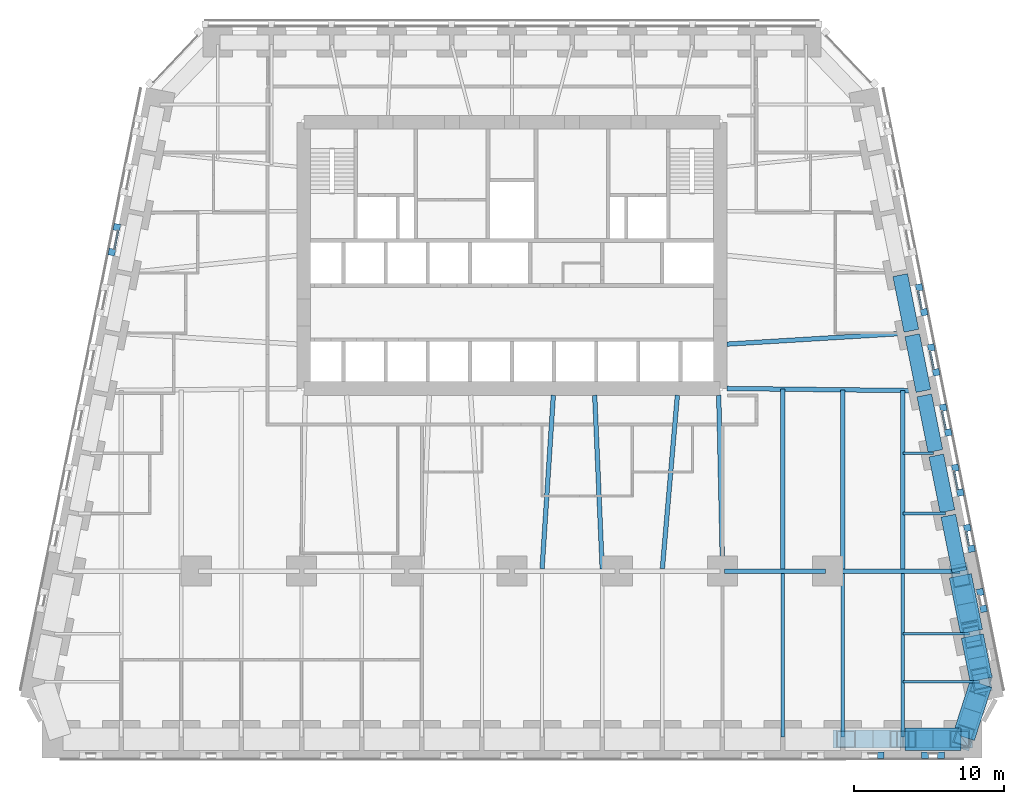
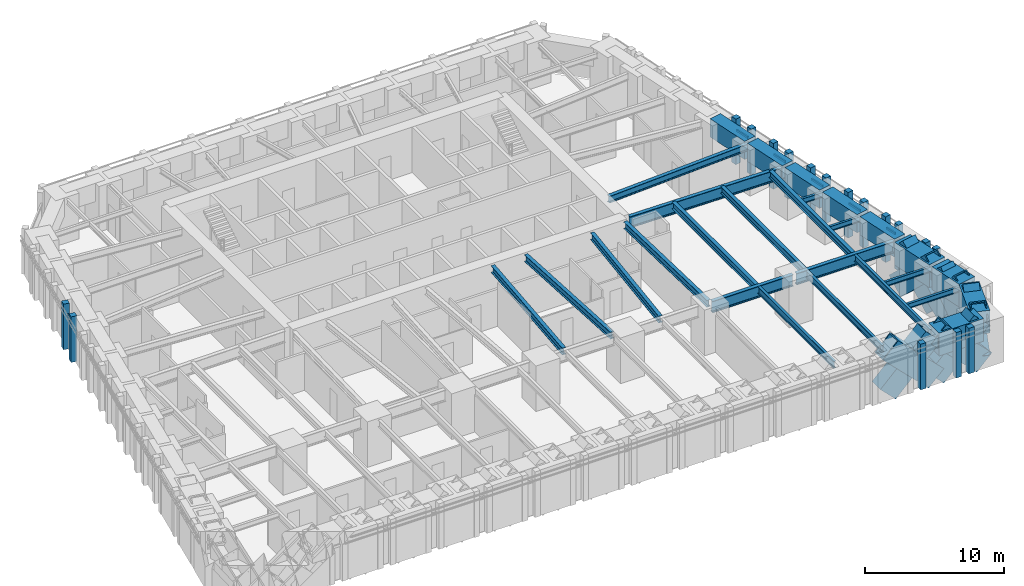
# One storey, part 3 of 17: 33 members, 27 beams, 9 elements without a shape of their own.
"""IFC4 building model written with IfcOpenShell, lengths in metres."""

from ifc_helpers import new_model, si_unit, direction, frame, origin, origin_2d, place, context, subcontext, project, spatial, rectangle, hollow_rectangle, i_section, extrude, material, material_profile, profile_set, type_object, element, aggregate, save


model = new_model("IFC4")

# Units and contexts
model_context = context("Model", 3, precision=1e-05, world=origin(), true_north=direction((0.0, 1.0)))
body_context = subcontext(model_context, "Body", "Model", "MODEL_VIEW")
ifc_project = project(units=[si_unit("LENGTHUNIT", "METRE"), si_unit("AREAUNIT", "SQUARE_METRE"), si_unit("VOLUMEUNIT", "CUBIC_METRE"), si_unit("PLANEANGLEUNIT", "RADIAN"), si_unit("MASSUNIT", "GRAM", prefix="KILO")], contexts=[model_context])

# Site, building, storey
site_placement = place(None, origin())
site = spatial("IfcSite", under=ifc_project, at=site_placement, CompositionType="ELEMENT")
building_placement = place(site_placement, origin())
building = spatial("IfcBuilding", under=site, at=building_placement, Name="Isbrekke Arena Tower", CompositionType="ELEMENT")
storey_placement = place(building_placement, frame((0.0, 0.0, 48.0)))
storey = spatial("IfcBuildingStorey", under=building, at=storey_placement, Name="L09", CompositionType="ELEMENT", Elevation=48.0)

# Beams
ifc_material_1 = material(Name="Steel S355", Category="steel")
ifc_material_profile_1 = material_profile(ifc_material_1, i_section(OverallWidth=0.219970703125, OverallDepth=0.60009765625, WebThickness=0.011962890625, FlangeThickness=0.01904296875, FilletRadius=0.02392578125, at=origin_2d()), Name="IPE 600")
ifc_profile_set_1 = profile_set([ifc_material_profile_1], Name="Steel S355")
beam_type_1 = type_object("IfcBeamType", Name="B1 IPE 600", PredefinedType="BEAM", material=ifc_profile_set_1)
for number, where, z_axis, x_axis, name in (
    (1, (18.0, -17.02490234375, 3.550048828125), (0.0, 1.0, 0.0), (-1.0, 0.0, 0.0), "B1 beam S-S13 L09"),
    (2, (22.0, -17.02490234375, 3.550048828125), (0.0, 1.0, 0.0), (-1.0, 0.0, 0.0), "B1 beam S-S14 L09"),
    (3, (26.0, -17.02490234375, 3.550048828125), (0.0, 1.0, 0.0), (-1.0, 0.0, 0.0), "B1 beam S-S15 L09"),
):
    element("IfcBeam", number, at=place(storey_placement, frame(where, z_axis=z_axis, x_axis=x_axis)), inside=storey, type_object=beam_type_1, Name=name, PredefinedType="BEAM", context=body_context, shape_type="SweptSolid", body=[
        extrude(i_section(OverallWidth=0.219970703125, OverallDepth=0.60009765625, WebThickness=0.011962890625, FlangeThickness=0.01904296875, FilletRadius=0.02392578125, at=origin_2d()), origin(), (0.0, 0.0, 1.0), 10.8740234375),
    ])
ifc_material_2 = material(Name="Steel S355", Category="steel")
ifc_material_profile_2 = material_profile(ifc_material_2, i_section(OverallWidth=0.18994140625, OverallDepth=0.449951171875, WebThickness=0.009521484375, FlangeThickness=0.0146484375, FilletRadius=0.02099609375, at=origin_2d()), Name="IPE 450")
ifc_profile_set_2 = profile_set([ifc_material_profile_2], Name="Steel S355")
beam_type_2 = type_object("IfcBeamType", Name="B2 IPE 450", PredefinedType="BEAM", material=ifc_profile_set_2)
beam_1_placement = place(storey_placement, frame((31.079345703125, -13.352783203125, 3.625), z_axis=(-1.0, 0.0, 0.0), x_axis=(0.0, -1.0, 0.0)))
element("IfcBeam", 4, at=beam_1_placement, inside=storey, type_object=beam_type_2, Name="B2 beam E-E01 L09", PredefinedType="BEAM", context=body_context, shape_type="SweptSolid", body=[
    extrude(i_section(OverallWidth=0.18994140625, OverallDepth=0.449951171875, WebThickness=0.009521484375, FlangeThickness=0.0146484375, FilletRadius=0.02099609375, at=origin_2d()), origin(), (0.0, 0.0, 1.0), 5.079345703125),
])
beam_2_placement = place(storey_placement, frame((30.44091796875, -10.161865234375, 3.625), z_axis=(-1.0, 0.0, 0.0), x_axis=(0.0, -1.0, 0.0)))
element("IfcBeam", 5, at=beam_2_placement, inside=storey, type_object=beam_type_2, Name="B2 beam E-E02 L09", PredefinedType="BEAM", context=body_context, shape_type="SweptSolid", body=[
    extrude(i_section(OverallWidth=0.18994140625, OverallDepth=0.449951171875, WebThickness=0.009521484375, FlangeThickness=0.0146484375, FilletRadius=0.02099609375, at=origin_2d()), origin(), (0.0, 0.0, 1.0), 4.44091796875),
])
beam_3_placement = place(storey_placement, frame((28.841064453125, -2.161865234375, 3.625), z_axis=(-1.0, 0.0, 0.0), x_axis=(0.0, -1.0, 0.0)))
element("IfcBeam", 6, at=beam_3_placement, inside=storey, type_object=beam_type_2, Name="B2 beam E-E04 L09", PredefinedType="BEAM", context=body_context, shape_type="SweptSolid", body=[
    extrude(i_section(OverallWidth=0.18994140625, OverallDepth=0.449951171875, WebThickness=0.009521484375, FlangeThickness=0.0146484375, FilletRadius=0.02099609375, at=origin_2d()), origin(), (0.0, 0.0, 1.0), 2.841064453125),
])
beam_4_placement = place(storey_placement, frame((28.041015625, 1.838134765625, 3.625), z_axis=(-1.0, 0.0, 0.0), x_axis=(0.0, -1.0, 0.0)))
element("IfcBeam", 7, at=beam_4_placement, inside=storey, type_object=beam_type_2, Name="B2 beam E-E05 L09", PredefinedType="BEAM", context=body_context, shape_type="SweptSolid", body=[
    extrude(i_section(OverallWidth=0.18994140625, OverallDepth=0.449951171875, WebThickness=0.009521484375, FlangeThickness=0.0146484375, FilletRadius=0.02099609375, at=origin_2d()), origin(), (0.0, 0.0, 1.0), 2.041015625),
])
ifc_material_3 = material(Name="Steel S355", Category="steel")
ifc_material_profile_3 = material_profile(ifc_material_3, i_section(OverallWidth=0.300048828125, OverallDepth=0.60009765625, WebThickness=0.015380859375, FlangeThickness=0.030029296875, FilletRadius=0.027099609375, at=origin_2d()), Name="HEB 600")
ifc_profile_set_3 = profile_set([ifc_material_profile_3], Name="Steel S355")
beam_type_3 = type_object("IfcBeamType", Name="B7 HEB 600", PredefinedType="BEAM", material=ifc_profile_set_3)
beam_5_placement = place(storey_placement, frame((2.000732421875, -5.83935546875, 3.550048828125), z_axis=(0.064795318476, 0.997898575359, 0.0), x_axis=(-0.997898575359, 0.064795318476, 0.0)))
element("IfcBeam", 8, at=beam_5_placement, inside=storey, type_object=beam_type_3, Name="B7 beam C-M08 L09", PredefinedType="BEAM", context=body_context, shape_type="SweptSolid", body=[
    extrude(i_section(OverallWidth=0.300048828125, OverallDepth=0.60009765625, WebThickness=0.015380859375, FlangeThickness=0.030029296875, FilletRadius=0.027099609375, at=origin_2d()), origin(), (0.0, 0.0, 1.0), 11.563720703125),
])
beam_6_placement = place(storey_placement, frame((5.999755859375, -5.842529296875, 3.550048828125), z_axis=(-0.04325656756, 0.99906399663, 0.0), x_axis=(-0.99906399663, -0.04325656756, 0.0)))
element("IfcBeam", 9, at=beam_6_placement, inside=storey, type_object=beam_type_3, Name="B7 beam C-M09 L09", PredefinedType="BEAM", context=body_context, shape_type="SweptSolid", body=[
    extrude(i_section(OverallWidth=0.300048828125, OverallDepth=0.60009765625, WebThickness=0.015380859375, FlangeThickness=0.030029296875, FilletRadius=0.027099609375, at=origin_2d()), origin(), (0.0, 0.0, 1.0), 11.55322265625),
])
beam_7_placement = place(storey_placement, frame((10.001220703125, -5.836181640625, 3.550048828125), z_axis=(0.086255671377, 0.996273034442, 0.0), x_axis=(-0.996273034442, 0.086255671377, 0.0)))
element("IfcBeam", 10, at=beam_7_placement, inside=storey, type_object=beam_type_3, Name="B7 beam C-M10 L09", PredefinedType="BEAM", context=body_context, shape_type="SweptSolid", body=[
    extrude(i_section(OverallWidth=0.300048828125, OverallDepth=0.60009765625, WebThickness=0.015380859375, FlangeThickness=0.030029296875, FilletRadius=0.027099609375, at=origin_2d()), origin(), (0.0, 0.0, 1.0), 11.579345703125),
])
beam_8_placement = place(storey_placement, frame((14.0, -5.8466796875, 3.550048828125), z_axis=(-0.021646264273, 0.999765692171, 0.0), x_axis=(-0.999765692171, -0.021646264273, 0.0)))
element("IfcBeam", 11, at=beam_8_placement, inside=storey, type_object=beam_type_3, Name="B7 beam C-M11 L09", PredefinedType="BEAM", context=body_context, shape_type="SweptSolid", body=[
    extrude(i_section(OverallWidth=0.300048828125, OverallDepth=0.60009765625, WebThickness=0.015380859375, FlangeThickness=0.030029296875, FilletRadius=0.027099609375, at=origin_2d()), origin(), (0.0, 0.0, 1.0), 11.54931640625),
])
beam_9_placement = place(storey_placement, frame((18.0, -5.84912109375, 3.550048828125), z_axis=(0.0, 1.0, 0.0), x_axis=(-1.0, 0.0, 0.0)))
element("IfcBeam", 12, at=beam_9_placement, inside=storey, type_object=beam_type_3, Name="B7 beam C-M12 L09", PredefinedType="BEAM", context=body_context, shape_type="SweptSolid", body=[
    extrude(i_section(OverallWidth=0.300048828125, OverallDepth=0.60009765625, WebThickness=0.015380859375, FlangeThickness=0.030029296875, FilletRadius=0.027099609375, at=origin_2d()), origin(), (0.0, 0.0, 1.0), 11.956787109375),
])
beam_10_placement = place(storey_placement, frame((22.0, -5.84912109375, 3.550048828125), z_axis=(0.0, 1.0, 0.0), x_axis=(-1.0, 0.0, 0.0)))
element("IfcBeam", 13, at=beam_10_placement, inside=storey, type_object=beam_type_3, Name="B7 beam C-M13 L09", PredefinedType="BEAM", context=body_context, shape_type="SweptSolid", body=[
    extrude(i_section(OverallWidth=0.300048828125, OverallDepth=0.60009765625, WebThickness=0.015380859375, FlangeThickness=0.030029296875, FilletRadius=0.027099609375, at=origin_2d()), origin(), (0.0, 0.0, 1.0), 11.910888671875),
])
beam_11_placement = place(storey_placement, frame((26.0, -5.84912109375, 3.550048828125), z_axis=(0.0, 1.0, 0.0), x_axis=(-1.0, 0.0, 0.0)))
element("IfcBeam", 14, at=beam_11_placement, inside=storey, type_object=beam_type_3, Name="B7 beam C-M14 L09", PredefinedType="BEAM", context=body_context, shape_type="SweptSolid", body=[
    extrude(i_section(OverallWidth=0.300048828125, OverallDepth=0.60009765625, WebThickness=0.015380859375, FlangeThickness=0.030029296875, FilletRadius=0.027099609375, at=origin_2d()), origin(), (0.0, 0.0, 1.0), 11.864990234375),
])
beam_12_placement = place(storey_placement, frame((26.431884765625, 9.837646484375, 3.550048828125), z_axis=(-0.998157121592, -0.060682457223, 0.0), x_axis=(0.060682457223, -0.998157121592, 0.0)))
element("IfcBeam", 15, at=beam_12_placement, inside=storey, type_object=beam_type_3, Name="B7 beam E-E07 L09", PredefinedType="BEAM", context=body_context, shape_type="SweptSolid", body=[
    extrude(i_section(OverallWidth=0.300048828125, OverallDepth=0.60009765625, WebThickness=0.015380859375, FlangeThickness=0.030029296875, FilletRadius=0.027099609375, at=origin_2d()), origin(), (0.0, 0.0, 1.0), 12.154296875),
])

# Curtain wall, member
ifc_material_4 = material(Name="Glazed aluminium curtain wall", Category="aluminium")
curtain_wall_type = type_object("IfcCurtainWallType", Name="CWL TOWER CURTAIN WALL LOW ZONE", PredefinedType="USERDEFINED", material=ifc_material_4)
curtain_wall_1_placement = place(storey_placement, origin())
curtain_wall_1 = element("IfcCurtainWall", 16, at=curtain_wall_1_placement, inside=storey, type_object=curtain_wall_type, Name="CWL curtain wall L09-S27", ObjectType="TOWER CURTAIN WALL LOW ZONE", PredefinedType="USERDEFINED")
ifc_material_5 = material(Name="Aluminium mullion, pale brick slip cladding", Category="masonry")
ifc_material_profile_4 = material_profile(ifc_material_5, rectangle(XDim=0.449951171875, YDim=0.449951171875, at=origin_2d()), Name="PIER 450X450")
ifc_profile_set_4 = profile_set([ifc_material_profile_4], Name="Aluminium mullion, pale brick slip cladding")
member_type_1 = type_object("IfcMemberType", Name="CWL-M PIER MULLION 450 x 450", PredefinedType="MULLION", material=ifc_profile_set_4)
member_1_placement = place(storey_placement, frame((24.52490234375, -18.25, 0.0), z_axis=(0.0, 0.0, 1.0), x_axis=(1.0, 0.0, 0.0)))
member_1 = element("IfcMember", 17, at=member_1_placement, type_object=member_type_1, Name="CWL-M mullion 2", PredefinedType="MULLION", context=body_context, shape_type="SweptSolid", body=[
    extrude(rectangle(XDim=0.449951171875, YDim=0.449951171875, at=origin_2d()), origin(), (0.0, 0.0, 1.0), 4.0),
])
aggregate(curtain_wall_1, [member_1])

# Curtain wall, members
curtain_wall_2_placement = place(storey_placement, origin())
curtain_wall_2 = element("IfcCurtainWall", 18, at=curtain_wall_2_placement, inside=storey, type_object=curtain_wall_type, Name="CWL curtain wall L09-S29", ObjectType="TOWER CURTAIN WALL LOW ZONE", PredefinedType="USERDEFINED")
member_2_placement = place(storey_placement, frame((27.47509765625, -18.25, 0.0), z_axis=(0.0, 0.0, 1.0), x_axis=(1.0, 0.0, 0.0)))
member_2 = element("IfcMember", 19, at=member_2_placement, type_object=member_type_1, Name="CWL-M mullion 1", PredefinedType="MULLION", context=body_context, shape_type="SweptSolid", body=[
    extrude(rectangle(XDim=0.449951171875, YDim=0.449951171875, at=origin_2d()), origin(), (0.0, 0.0, 1.0), 4.0),
])
member_3_placement = place(storey_placement, frame((28.527099609375, -18.25, 0.0), z_axis=(0.0, 0.0, 1.0), x_axis=(1.0, 0.0, 0.0)))
member_3 = element("IfcMember", 20, at=member_3_placement, type_object=member_type_1, Name="CWL-M mullion 2", PredefinedType="MULLION", context=body_context, shape_type="SweptSolid", body=[
    extrude(rectangle(XDim=0.449951171875, YDim=0.449951171875, at=origin_2d()), origin(), (0.0, 0.0, 1.0), 4.0),
])
aggregate(curtain_wall_2, [member_2, member_3])

curtain_wall_3_placement = place(storey_placement, origin())
curtain_wall_3 = element("IfcCurtainWall", 21, at=curtain_wall_3_placement, inside=storey, type_object=curtain_wall_type, Name="CWL curtain wall L09-E3", ObjectType="TOWER CURTAIN WALL LOW ZONE", PredefinedType="USERDEFINED")
member_4_placement = place(storey_placement, frame((31.35595703125, -8.504638671875, 0.0), z_axis=(0.0, 0.0, 1.0), x_axis=(-0.196116135138, 0.980580675691, 0.0)))
member_4 = element("IfcMember", 22, at=member_4_placement, type_object=member_type_1, Name="CWL-M mullion 1", PredefinedType="MULLION", context=body_context, shape_type="SweptSolid", body=[
    extrude(rectangle(XDim=0.449951171875, YDim=0.449951171875, at=origin_2d()), origin(), (0.0, 0.0, 1.0), 4.0),
])
member_5_placement = place(storey_placement, frame((31.134521484375, -7.397216796875, 0.0), z_axis=(0.0, 0.0, 1.0), x_axis=(-0.196116135138, 0.980580675691, 0.0)))
member_5 = element("IfcMember", 23, at=member_5_placement, type_object=member_type_1, Name="CWL-M mullion 2", PredefinedType="MULLION", context=body_context, shape_type="SweptSolid", body=[
    extrude(rectangle(XDim=0.449951171875, YDim=0.449951171875, at=origin_2d()), origin(), (0.0, 0.0, 1.0), 4.0),
])
aggregate(curtain_wall_3, [member_4, member_5])

curtain_wall_4_placement = place(storey_placement, origin())
curtain_wall_4 = element("IfcCurtainWall", 24, at=curtain_wall_4_placement, inside=storey, type_object=curtain_wall_type, Name="CWL curtain wall L09-E5", ObjectType="TOWER CURTAIN WALL LOW ZONE", PredefinedType="USERDEFINED")
member_6_placement = place(storey_placement, frame((30.555908203125, -4.504638671875, 0.0), z_axis=(0.0, 0.0, 1.0), x_axis=(-0.196116135138, 0.980580675691, 0.0)))
member_6 = element("IfcMember", 25, at=member_6_placement, type_object=member_type_1, Name="CWL-M mullion 1", PredefinedType="MULLION", context=body_context, shape_type="SweptSolid", body=[
    extrude(rectangle(XDim=0.449951171875, YDim=0.449951171875, at=origin_2d()), origin(), (0.0, 0.0, 1.0), 4.0),
])
member_7_placement = place(storey_placement, frame((30.280517578125, -3.127685546875, 0.0), z_axis=(0.0, 0.0, 1.0), x_axis=(-0.196116135138, 0.980580675691, 0.0)))
member_7 = element("IfcMember", 26, at=member_7_placement, type_object=member_type_1, Name="CWL-M mullion 2", PredefinedType="MULLION", context=body_context, shape_type="SweptSolid", body=[
    extrude(rectangle(XDim=0.449951171875, YDim=0.449951171875, at=origin_2d()), origin(), (0.0, 0.0, 1.0), 4.0),
])

curtain_wall_5_placement = place(storey_placement, origin())
curtain_wall_5 = element("IfcCurtainWall", 27, at=curtain_wall_5_placement, inside=storey, type_object=curtain_wall_type, Name="CWL curtain wall L09-E7", ObjectType="TOWER CURTAIN WALL LOW ZONE", PredefinedType="USERDEFINED")
member_8_placement = place(storey_placement, frame((29.809814453125, -0.774169921875, 0.0), z_axis=(0.0, 0.0, 1.0), x_axis=(-0.196116135138, 0.980580675691, 0.0)))
member_8 = element("IfcMember", 28, at=member_8_placement, type_object=member_type_1, Name="CWL-M mullion 1", PredefinedType="MULLION", context=body_context, shape_type="SweptSolid", body=[
    extrude(rectangle(XDim=0.449951171875, YDim=0.449951171875, at=origin_2d()), origin(), (0.0, 0.0, 1.0), 4.0),
])
member_9_placement = place(storey_placement, frame((29.48046875, 0.872314453125, 0.0), z_axis=(0.0, 0.0, 1.0), x_axis=(-0.196116135138, 0.980580675691, 0.0)))
member_9 = element("IfcMember", 29, at=member_9_placement, type_object=member_type_1, Name="CWL-M mullion 2", PredefinedType="MULLION", context=body_context, shape_type="SweptSolid", body=[
    extrude(rectangle(XDim=0.449951171875, YDim=0.449951171875, at=origin_2d()), origin(), (0.0, 0.0, 1.0), 4.0),
])

curtain_wall_6_placement = place(storey_placement, origin())
curtain_wall_6 = element("IfcCurtainWall", 30, at=curtain_wall_6_placement, inside=storey, type_object=curtain_wall_type, Name="CWL curtain wall L09-E9", ObjectType="TOWER CURTAIN WALL LOW ZONE", PredefinedType="USERDEFINED")
member_10_placement = place(storey_placement, frame((29.009765625, 3.225830078125, 0.0), z_axis=(0.0, 0.0, 1.0), x_axis=(-0.196116135138, 0.980580675691, 0.0)))
member_10 = element("IfcMember", 31, at=member_10_placement, type_object=member_type_1, Name="CWL-M mullion 1", PredefinedType="MULLION", context=body_context, shape_type="SweptSolid", body=[
    extrude(rectangle(XDim=0.449951171875, YDim=0.449951171875, at=origin_2d()), origin(), (0.0, 0.0, 1.0), 4.0),
])
member_11_placement = place(storey_placement, frame((28.680419921875, 4.872314453125, 0.0), z_axis=(0.0, 0.0, 1.0), x_axis=(-0.196116135138, 0.980580675691, 0.0)))
member_11 = element("IfcMember", 32, at=member_11_placement, type_object=member_type_1, Name="CWL-M mullion 2", PredefinedType="MULLION", context=body_context, shape_type="SweptSolid", body=[
    extrude(rectangle(XDim=0.449951171875, YDim=0.449951171875, at=origin_2d()), origin(), (0.0, 0.0, 1.0), 4.0),
])

curtain_wall_7_placement = place(storey_placement, origin())
curtain_wall_7 = element("IfcCurtainWall", 33, at=curtain_wall_7_placement, inside=storey, type_object=curtain_wall_type, Name="CWL curtain wall L09-E11", ObjectType="TOWER CURTAIN WALL LOW ZONE", PredefinedType="USERDEFINED")
member_12_placement = place(storey_placement, frame((28.209716796875, 7.225830078125, 0.0), z_axis=(0.0, 0.0, 1.0), x_axis=(-0.196116135138, 0.980580675691, 0.0)))
member_12 = element("IfcMember", 34, at=member_12_placement, type_object=member_type_1, Name="CWL-M mullion 1", PredefinedType="MULLION", context=body_context, shape_type="SweptSolid", body=[
    extrude(rectangle(XDim=0.449951171875, YDim=0.449951171875, at=origin_2d()), origin(), (0.0, 0.0, 1.0), 4.0),
])
member_13_placement = place(storey_placement, frame((27.88037109375, 8.872314453125, 0.0), z_axis=(0.0, 0.0, 1.0), x_axis=(-0.196116135138, 0.980580675691, 0.0)))
member_13 = element("IfcMember", 35, at=member_13_placement, type_object=member_type_1, Name="CWL-M mullion 2", PredefinedType="MULLION", context=body_context, shape_type="SweptSolid", body=[
    extrude(rectangle(XDim=0.449951171875, YDim=0.449951171875, at=origin_2d()), origin(), (0.0, 0.0, 1.0), 4.0),
])

curtain_wall_8_placement = place(storey_placement, origin())
curtain_wall_8 = element("IfcCurtainWall", 36, at=curtain_wall_8_placement, inside=storey, type_object=curtain_wall_type, Name="CWL curtain wall L09-E13", ObjectType="TOWER CURTAIN WALL LOW ZONE", PredefinedType="USERDEFINED")
member_14_placement = place(storey_placement, frame((27.409912109375, 11.225830078125, 0.0), z_axis=(0.0, 0.0, 1.0), x_axis=(-0.196116135138, 0.980580675691, 0.0)))
member_14 = element("IfcMember", 37, at=member_14_placement, type_object=member_type_1, Name="CWL-M mullion 1", PredefinedType="MULLION", context=body_context, shape_type="SweptSolid", body=[
    extrude(rectangle(XDim=0.449951171875, YDim=0.449951171875, at=origin_2d()), origin(), (0.0, 0.0, 1.0), 4.0),
])
member_15_placement = place(storey_placement, frame((27.08056640625, 12.872314453125, 0.0), z_axis=(0.0, 0.0, 1.0), x_axis=(-0.196116135138, 0.980580675691, 0.0)))
member_15 = element("IfcMember", 38, at=member_15_placement, type_object=member_type_1, Name="CWL-M mullion 2", PredefinedType="MULLION", context=body_context, shape_type="SweptSolid", body=[
    extrude(rectangle(XDim=0.449951171875, YDim=0.449951171875, at=origin_2d()), origin(), (0.0, 0.0, 1.0), 4.0),
])

curtain_wall_9_placement = place(storey_placement, origin())
curtain_wall_9 = element("IfcCurtainWall", 39, at=curtain_wall_9_placement, inside=storey, type_object=curtain_wall_type, Name="CWL curtain wall L09-W5", ObjectType="TOWER CURTAIN WALL LOW ZONE", PredefinedType="USERDEFINED")
member_16_placement = place(storey_placement, frame((-26.280517578125, 16.872314453125, 0.0), z_axis=(0.0, 0.0, 1.0), x_axis=(-0.196116135138, -0.980580675691, 0.0)))
member_16 = element("IfcMember", 40, at=member_16_placement, type_object=member_type_1, Name="CWL-M mullion 1", PredefinedType="MULLION", context=body_context, shape_type="SweptSolid", body=[
    extrude(rectangle(XDim=0.449951171875, YDim=0.449951171875, at=origin_2d()), origin(), (0.0, 0.0, 1.0), 4.0),
])
member_17_placement = place(storey_placement, frame((-26.60986328125, 15.225830078125, 0.0), z_axis=(0.0, 0.0, 1.0), x_axis=(-0.196116135138, -0.980580675691, 0.0)))
member_17 = element("IfcMember", 41, at=member_17_placement, type_object=member_type_1, Name="CWL-M mullion 2", PredefinedType="MULLION", context=body_context, shape_type="SweptSolid", body=[
    extrude(rectangle(XDim=0.449951171875, YDim=0.449951171875, at=origin_2d()), origin(), (0.0, 0.0, 1.0), 4.0),
])

# Member
ifc_material_6 = material(Name="Aluminium transom", Category="aluminium")
ifc_material_profile_5 = material_profile(ifc_material_6, rectangle(XDim=0.1201171875, YDim=0.199951171875, at=origin_2d()), Name="TRANSOM 120X200")
ifc_profile_set_5 = profile_set([ifc_material_profile_5], Name="Aluminium transom")
member_type_2 = type_object("IfcMemberType", Name="CWL-T TRANSOM 120 x 200", PredefinedType="USERDEFINED", material=ifc_profile_set_5)
member_18_placement = place(storey_placement, frame((30.38916015625, -4.30859375, 3.0), z_axis=(-0.19596853661, 0.980610183844, 0.0), x_axis=(-0.980610183844, -0.19596853661, 0.0)))
member_18 = element("IfcMember", 42, at=member_18_placement, type_object=member_type_2, Name="CWL-T transom 1", ObjectType="TRANSOM", PredefinedType="USERDEFINED", context=body_context, shape_type="SweptSolid", body=[
    extrude(rectangle(XDim=0.1201171875, YDim=0.199951171875, at=origin_2d()), origin(), (0.0, 0.0, 1.0), 0.954345703125),
])

aggregate(curtain_wall_4, [member_6, member_7, member_18])

member_19_placement = place(storey_placement, frame((29.64306640625, -0.578125, 3.0), z_axis=(-0.196039741533, 0.980595951317, 0.0), x_axis=(-0.980595951317, -0.196039741533, 0.0)))
member_19 = element("IfcMember", 43, at=member_19_placement, type_object=member_type_2, Name="CWL-T transom 1", ObjectType="TRANSOM", PredefinedType="USERDEFINED", context=body_context, shape_type="SweptSolid", body=[
    extrude(rectangle(XDim=0.1201171875, YDim=0.199951171875, at=origin_2d()), origin(), (0.0, 0.0, 1.0), 1.229248046875),
])

aggregate(curtain_wall_5, [member_8, member_9, member_19])

member_20_placement = place(storey_placement, frame((28.843017578125, 3.421875, 3.0), z_axis=(-0.196039741533, 0.980595951317, 0.0), x_axis=(-0.980595951317, -0.196039741533, 0.0)))
member_20 = element("IfcMember", 44, at=member_20_placement, type_object=member_type_2, Name="CWL-T transom 1", ObjectType="TRANSOM", PredefinedType="USERDEFINED", context=body_context, shape_type="SweptSolid", body=[
    extrude(rectangle(XDim=0.1201171875, YDim=0.199951171875, at=origin_2d()), origin(), (0.0, 0.0, 1.0), 1.229248046875),
])

aggregate(curtain_wall_6, [member_10, member_11, member_20])

member_21_placement = place(storey_placement, frame((28.043212890625, 7.421875, 3.0), z_axis=(-0.19623071885, 0.980557751986, 0.0), x_axis=(-0.980557751986, -0.19623071885, 0.0)))
member_21 = element("IfcMember", 45, at=member_21_placement, type_object=member_type_2, Name="CWL-T transom 1", ObjectType="TRANSOM", PredefinedType="USERDEFINED", context=body_context, shape_type="SweptSolid", body=[
    extrude(rectangle(XDim=0.1201171875, YDim=0.199951171875, at=origin_2d()), origin(), (0.0, 0.0, 1.0), 1.229248046875),
])

aggregate(curtain_wall_7, [member_12, member_13, member_21])

member_22_placement = place(storey_placement, frame((27.2431640625, 11.421875, 3.0), z_axis=(-0.19623071885, 0.980557751986, 0.0), x_axis=(-0.980557751986, -0.19623071885, 0.0)))
member_22 = element("IfcMember", 46, at=member_22_placement, type_object=member_type_2, Name="CWL-T transom 1", ObjectType="TRANSOM", PredefinedType="USERDEFINED", context=body_context, shape_type="SweptSolid", body=[
    extrude(rectangle(XDim=0.1201171875, YDim=0.199951171875, at=origin_2d()), origin(), (0.0, 0.0, 1.0), 1.229248046875),
])

aggregate(curtain_wall_8, [member_14, member_15, member_22])

member_23_placement = place(storey_placement, frame((-26.2021484375, 16.627197265625, 3.0), z_axis=(-0.196039741533, -0.980595951317, 0.0), x_axis=(0.980595951317, -0.196039741533, 0.0)))
member_23 = element("IfcMember", 47, at=member_23_placement, type_object=member_type_2, Name="CWL-T transom 1", ObjectType="TRANSOM", PredefinedType="USERDEFINED", context=body_context, shape_type="SweptSolid", body=[
    extrude(rectangle(XDim=0.1201171875, YDim=0.199951171875, at=origin_2d()), origin(), (0.0, 0.0, 1.0), 1.229248046875),
])

aggregate(curtain_wall_9, [member_16, member_17, member_23])

# Beams
ifc_material_7 = material(Name="Steel S355", Category="steel")
ifc_material_profile_6 = material_profile(ifc_material_7, i_section(OverallWidth=0.302001953125, OverallDepth=1.008056640625, WebThickness=0.02099609375, FlangeThickness=0.0400390625, FilletRadius=0.030029296875, at=origin_2d()), Name="HEM 1000")
ifc_profile_set_6 = profile_set([ifc_material_profile_6], Name="Steel S355")
beam_type_4 = type_object("IfcBeamType", Name="G1 HEM 1000", PredefinedType="BEAM", material=ifc_profile_set_6)
beam_13_placement = place(storey_placement, frame((14.14990234375, -6.0, 3.345947265625), z_axis=(1.0, 0.0, 0.0), x_axis=(0.0, 1.0, 0.0)))
element("IfcBeam", 48, at=beam_13_placement, inside=storey, type_object=beam_type_4, Name="G1 beam G1-07 L09", PredefinedType="BEAM", context=body_context, shape_type="SweptSolid", body=[
    extrude(i_section(OverallWidth=0.302001953125, OverallDepth=1.008056640625, WebThickness=0.02099609375, FlangeThickness=0.0400390625, FilletRadius=0.030029296875, at=origin_2d()), origin(), (0.0, 0.0, 1.0), 6.7001953125),
])
beam_14_placement = place(storey_placement, frame((21.14990234375, -6.0, 3.345947265625), z_axis=(1.0, 0.0, 0.0), x_axis=(0.0, 1.0, 0.0)))
element("IfcBeam", 49, at=beam_14_placement, inside=storey, type_object=beam_type_4, Name="G1 beam G1-08 L09", PredefinedType="BEAM", context=body_context, shape_type="SweptSolid", body=[
    extrude(i_section(OverallWidth=0.302001953125, OverallDepth=1.008056640625, WebThickness=0.02099609375, FlangeThickness=0.0400390625, FilletRadius=0.030029296875, at=origin_2d()), origin(), (0.0, 0.0, 1.0), 8.64111328125),
])
ifc_material_8 = material(Name="Steel S355", Category="steel")
ifc_material_profile_7 = material_profile(ifc_material_8, i_section(OverallWidth=0.302001953125, OverallDepth=1.008056640625, WebThickness=0.02099609375, FlangeThickness=0.0400390625, FilletRadius=0.030029296875, at=origin_2d()), Name="HEM 1000")
ifc_profile_set_7 = profile_set([ifc_material_profile_7], Name="Steel S355")
beam_type_5 = type_object("IfcBeamType", Name="G2 HEM 1000", PredefinedType="BEAM", material=ifc_profile_set_7)
beam_15_placement = place(storey_placement, frame((14.300048828125, 6.14990234375, 3.345947265625), z_axis=(0.999934429634, -0.011451481699, 0.0), x_axis=(0.011451481699, 0.999934429634, 0.0)))
element("IfcBeam", 50, at=beam_15_placement, inside=storey, type_object=beam_type_5, Name="G2 beam G2-E L09", PredefinedType="BEAM", context=body_context, shape_type="SweptSolid", body=[
    extrude(i_section(OverallWidth=0.302001953125, OverallDepth=1.008056640625, WebThickness=0.02099609375, FlangeThickness=0.0400390625, FilletRadius=0.030029296875, at=origin_2d()), origin(), (0.0, 0.0, 1.0), 13.09033203125),
])
ifc_material_9 = material(Name="Concrete B90 (C90/105)", Category="concrete")
ifc_material_profile_8 = material_profile(ifc_material_9, rectangle(XDim=1.0, YDim=1.60009765625, at=origin_2d()), Name="RC 1000x1600")
ifc_profile_set_8 = profile_set([ifc_material_profile_8], Name="Concrete B90 (C90/105)")
beam_type_6 = type_object("IfcBeamType", Name="SB1 RC 1000 x 1600", PredefinedType="SPANDREL", material=ifc_profile_set_8)
for number, where, z_axis, x_axis, name in (
    (51, (29.76171875, -6.0146484375, 3.199951171875), (-0.196128558387, 0.980578190959, 0.0), (-0.980578190959, -0.196128558387, 0.0), "SB1 spandrel E03-E04 L09"),
    (52, (28.961669921875, -2.0146484375, 3.199951171875), (-0.196128558387, 0.980578190959, 0.0), (-0.980578190959, -0.196128558387, 0.0), "SB1 spandrel E04-E05 L09"),
    (53, (28.16162109375, 1.9853515625, 3.199951171875), (-0.196128558387, 0.980578190959, 0.0), (-0.980578190959, -0.196128558387, 0.0), "SB1 spandrel E05-E06 L09"),
    (54, (27.361572265625, 5.9853515625, 3.199951171875), (-0.196128558387, 0.980578190959, 0.0), (-0.980578190959, -0.196128558387, 0.0), "SB1 spandrel E06-E07 L09"),
):
    element("IfcBeam", number, at=place(storey_placement, frame(where, z_axis=z_axis, x_axis=x_axis)), inside=storey, type_object=beam_type_6, Name=name, PredefinedType="SPANDREL", context=body_context, shape_type="SweptSolid", body=[
        extrude(rectangle(XDim=1.0, YDim=1.60009765625, at=origin_2d()), origin(), (0.0, 0.0, 1.0), 3.779296875),
    ])
beam_16_placement = place(storey_placement, frame((26.5615234375, 9.9853515625, 3.199951171875), z_axis=(-0.1960664412, 0.980590613169, 0.0), x_axis=(-0.980590613169, -0.1960664412, 0.0)))
element("IfcBeam", 55, at=beam_16_placement, inside=storey, type_object=beam_type_6, Name="SB1 spandrel E07-E08 L09", PredefinedType="SPANDREL", context=body_context, shape_type="SweptSolid", body=[
    extrude(rectangle(XDim=1.0, YDim=1.60009765625, at=origin_2d()), origin(), (0.0, 0.0, 1.0), 3.779052734375),
])
ifc_material_10 = material(Name="Concrete B90 (C90/105)", Category="concrete")
ifc_material_profile_9 = material_profile(ifc_material_10, rectangle(XDim=1.5, YDim=2.0, at=origin_2d()), Name="RC 1500x2000")
ifc_profile_set_9 = profile_set([ifc_material_profile_9], Name="Concrete B90 (C90/105)")
beam_type_7 = type_object("IfcBeamType", Name="SB6 RC 1500 x 2000", PredefinedType="SPANDREL", material=ifc_profile_set_9)
beam_17_placement = place(storey_placement, frame((26.14990234375, -17.175048828125, 3.0), z_axis=(1.0, 0.0, 0.0), x_axis=(0.0, 1.0, 0.0)))
element("IfcBeam", 56, at=beam_17_placement, inside=storey, type_object=beam_type_7, Name="SB6 spandrel S15-S16 L09", PredefinedType="SPANDREL", context=body_context, shape_type="SweptSolid", body=[
    extrude(rectangle(XDim=1.5, YDim=2.0, at=origin_2d()), origin(), (0.0, 0.0, 1.0), 3.7001953125),
])
beam_18_placement = place(storey_placement, frame((30.0458984375, -17.0322265625, 3.0), z_axis=(0.306175101476, 0.951975213562, 0.0), x_axis=(-0.951975213562, 0.306175101476, 0.0)))
element("IfcBeam", 57, at=beam_18_placement, inside=storey, type_object=beam_type_7, Name="SB6 spandrel S16-E01 L09", PredefinedType="SPANDREL", context=body_context, shape_type="SweptSolid", body=[
    extrude(rectangle(XDim=1.5, YDim=2.0, at=origin_2d()), origin(), (0.0, 0.0, 1.0), 3.715087890625),
])
beam_19_placement = place(storey_placement, frame((31.19970703125, -13.205810546875, 3.0), z_axis=(-0.196100243168, 0.980583853951, 0.0), x_axis=(-0.980583853951, -0.196100243168, 0.0)))
element("IfcBeam", 58, at=beam_19_placement, inside=storey, type_object=beam_type_7, Name="SB6 spandrel E01-E02 L09", PredefinedType="SPANDREL", context=body_context, shape_type="SweptSolid", body=[
    extrude(rectangle(XDim=1.5, YDim=2.0, at=origin_2d()), origin(), (0.0, 0.0, 1.0), 2.954345703125),
])
beam_20_placement = place(storey_placement, frame((30.5615234375, -10.0146484375, 3.0), z_axis=(-0.1960664412, 0.980590613169, 0.0), x_axis=(-0.980590613169, -0.1960664412, 0.0)))
element("IfcBeam", 59, at=beam_20_placement, inside=storey, type_object=beam_type_7, Name="SB6 spandrel E02-E03 L09", PredefinedType="SPANDREL", context=body_context, shape_type="SweptSolid", body=[
    extrude(rectangle(XDim=1.5, YDim=2.0, at=origin_2d()), origin(), (0.0, 0.0, 1.0), 3.779052734375),
])

# Members
ifc_material_11 = material(Name="Steel S460", Category="steel")
ifc_material_profile_10 = material_profile(ifc_material_11, hollow_rectangle(XDim=1.199951171875, YDim=1.800048828125, WallThickness=0.090087890625, at=origin_2d()), Name="BOX 1200x1800x90")
ifc_profile_set_10 = profile_set([ifc_material_profile_10], Name="Steel S460")
member_type_3 = type_object("IfcMemberType", Name="TB1 BOX 1200x1800x90", PredefinedType="BRACE", material=ifc_profile_set_10)
for number, where, z_axis, x_axis, name in (
    (60, (22.0, -17.175048828125, 0.0), (0.707106781187, 0.0, 0.707106781187), (0.0, 1.0, 0.0), "TB1 transfer brace S14-S15 L09 A"),
    (61, (22.220703125, -17.175048828125, 3.779296875), (0.707106781187, 0.0, -0.707106781187), (0.0, 1.0, 0.0), "TB1 transfer brace S14-S15 L09 B"),
    (62, (26.0, -17.175048828125, 0.0), (0.707106781187, 0.0, 0.707106781187), (0.0, 1.0, 0.0), "TB1 transfer brace S15-S16 L09 A"),
    (63, (26.220703125, -17.175048828125, 3.779296875), (0.707106781187, 0.0, -0.707106781187), (0.0, 1.0, 0.0), "TB1 transfer brace S15-S16 L09 B"),
):
    element("IfcMember", number, at=place(storey_placement, frame(where, z_axis=z_axis, x_axis=x_axis)), inside=storey, type_object=member_type_3, Name=name, PredefinedType="BRACE", context=body_context, shape_type="SweptSolid", body=[
        extrude(hollow_rectangle(XDim=1.199951171875, YDim=1.800048828125, WallThickness=0.090087890625, at=origin_2d()), origin(), (0.0, 0.0, 1.0), 5.3447265625),
    ])
for number, where, z_axis, x_axis, name in (
    (64, (30.0, -17.175048828125, 0.0), (0.216888895255, 0.67441597421, 0.705777798493), (-0.951982356028, 0.306152892868, 0.0), "TB1 transfer brace S16-E01 L09 A"),
    (65, (30.067626953125, -16.96484375, 3.780029296875), (0.216888895255, 0.67441597421, -0.705777798493), (-0.951982356028, 0.306152892868, 0.0), "TB1 transfer brace S16-E01 L09 B"),
):
    element("IfcMember", number, at=place(storey_placement, frame(where, z_axis=z_axis, x_axis=x_axis)), inside=storey, type_object=member_type_3, Name=name, PredefinedType="BRACE", context=body_context, shape_type="SweptSolid", body=[
        extrude(hollow_rectangle(XDim=1.199951171875, YDim=1.800048828125, WallThickness=0.090087890625, at=origin_2d()), origin(), (0.0, 0.0, 1.0), 5.355712890625),
    ])
for number, where, z_axis, x_axis, name in (
    (66, (31.229248046875, -13.352783203125, 0.0), (-0.123773292261, 0.618815796836, 0.775723650348), (-0.980577587758, -0.196131574168, 0.0), "TB1 transfer brace E01-E02 L09 A"),
    (67, (31.1875, -13.143798828125, 3.738037109375), (-0.123773292261, 0.618815796836, -0.775723650348), (-0.980577587758, -0.196131574168, 0.0), "TB1 transfer brace E01-E02 L09 B"),
):
    element("IfcMember", number, at=place(storey_placement, frame(where, z_axis=z_axis, x_axis=x_axis)), inside=storey, type_object=member_type_3, Name=name, PredefinedType="BRACE", context=body_context, shape_type="SweptSolid", body=[
        extrude(hollow_rectangle(XDim=1.199951171875, YDim=1.800048828125, WallThickness=0.090087890625, at=origin_2d()), origin(), (0.0, 0.0, 1.0), 4.81884765625),
    ])
for number, where, z_axis, x_axis, name in (
    (68, (30.591064453125, -10.161865234375, 0.0), (-0.140028008403, 0.700140042014, 0.700140042014), (-0.980580675691, -0.196116135138, 0.0), "TB1 transfer brace E02-E03 L09 A"),
    (69, (30.547607421875, -9.944580078125, 3.782958984375), (-0.140032438362, 0.700117005481, -0.700162191812), (-0.980578241477, -0.196128305817, 0.0), "TB1 transfer brace E02-E03 L09 B"),
):
    element("IfcMember", number, at=place(storey_placement, frame(where, z_axis=z_axis, x_axis=x_axis)), inside=storey, type_object=member_type_3, Name=name, PredefinedType="BRACE", context=body_context, shape_type="SweptSolid", body=[
        extrude(hollow_rectangle(XDim=1.199951171875, YDim=1.800048828125, WallThickness=0.090087890625, at=origin_2d()), origin(), (0.0, 0.0, 1.0), 5.403076171875),
    ])

save(model, "model.ifc")
